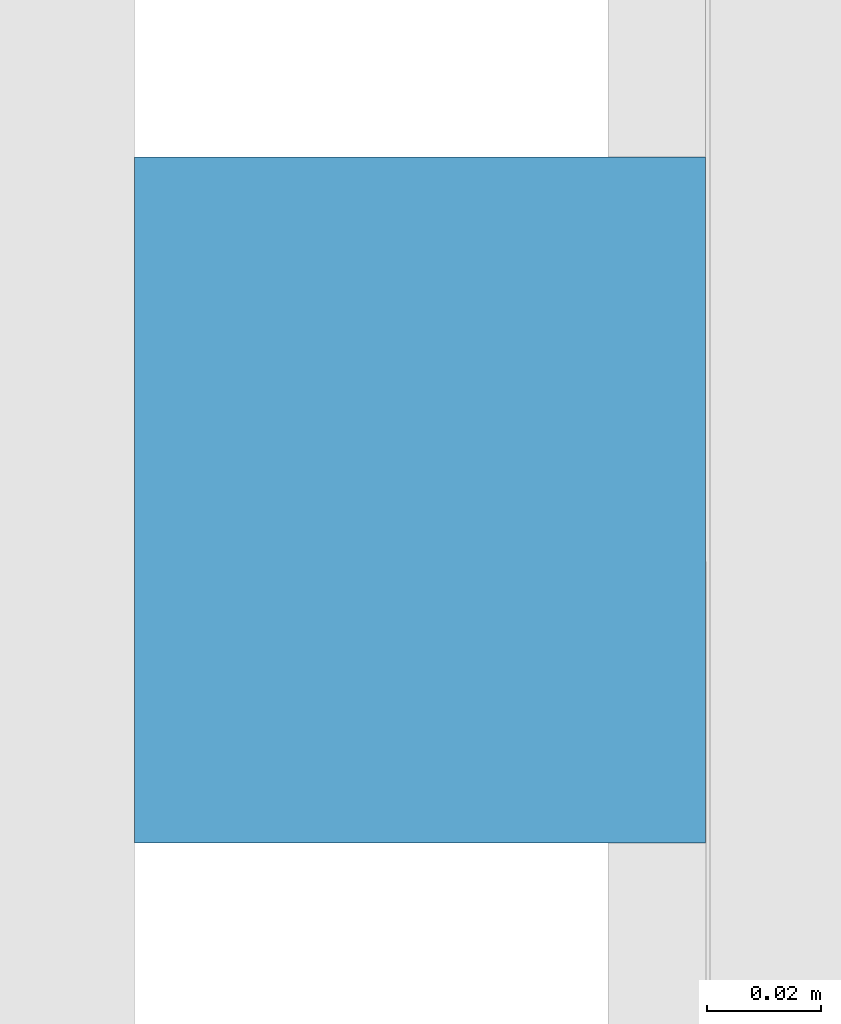
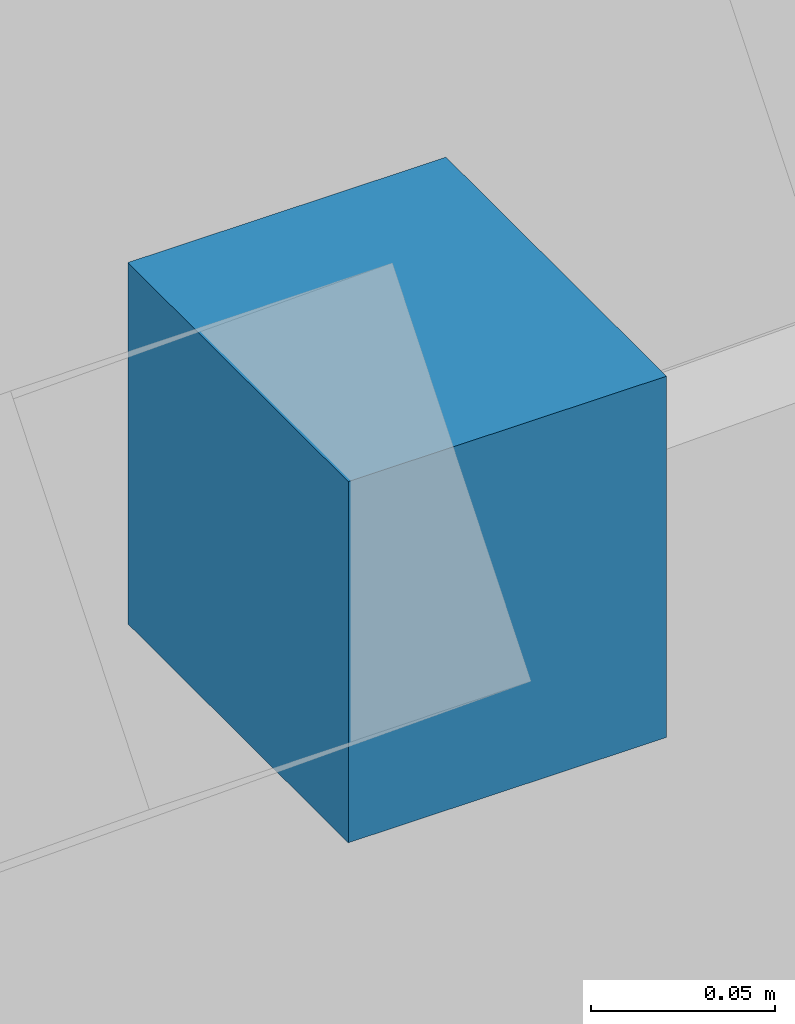
# One storey, part 22 of 25: 1 discrete accessory.
"""IFC4 building model written with IfcOpenShell, lengths in metres."""

from ifc_helpers import new_model, si_unit, direction, frame, origin, origin_2d, place, context, subcontext, project, spatial, rectangle, extrude, material, type_object, element, save


model = new_model("IFC4")

# Units and contexts
model_context = context("Model", 3, precision=1e-05, world=origin(), true_north=direction((0.0, 1.0)))
body_context = subcontext(model_context, "Body", "Model", "MODEL_VIEW")
ifc_project = project(units=[si_unit("LENGTHUNIT", "METRE"), si_unit("AREAUNIT", "SQUARE_METRE"), si_unit("VOLUMEUNIT", "CUBIC_METRE"), si_unit("PLANEANGLEUNIT", "RADIAN"), si_unit("MASSUNIT", "GRAM", prefix="KILO")], contexts=[model_context])

# Site, building, storey
site_placement = place(None, origin())
site = spatial("IfcSite", under=ifc_project, at=site_placement, CompositionType="ELEMENT")
building_placement = place(site_placement, origin())
building = spatial("IfcBuilding", under=site, at=building_placement, Name="Crosswind Convention Tower", CompositionType="ELEMENT")
storey_placement = place(building_placement, frame((0.0, 0.0, 97.89990234375)))
storey = spatial("IfcBuildingStorey", under=building, at=storey_placement, Name="L19", CompositionType="ELEMENT", Elevation=97.89990234375)

# Discrete accessory
ifc_material = material(Name="Stainless steel", Category="steel")
discrete_accessory_type = type_object("IfcDiscreteAccessoryType", Name="BAGUETTE BRACKET BK2", PredefinedType="BRACKET", material=ifc_material)
discrete_accessory_placement = place(storey_placement, frame((88.2919921875, 110.233642578125, 1.4775390625), z_axis=(0.0, 0.0, 1.0), x_axis=(0.0, -1.0, 0.0)))
element("IfcDiscreteAccessory", 1, at=discrete_accessory_placement, inside=storey, type_object=discrete_accessory_type, Name="BK2 baguette bracket", PredefinedType="BRACKET", context=body_context, shape_type="SweptSolid", body=[
    extrude(rectangle(XDim=0.1201171875, YDim=0.10009765625, at=origin_2d()), origin(), (0.0, 0.0, 1.0), 0.1201171875),
])

save(model, "model.ifc")
